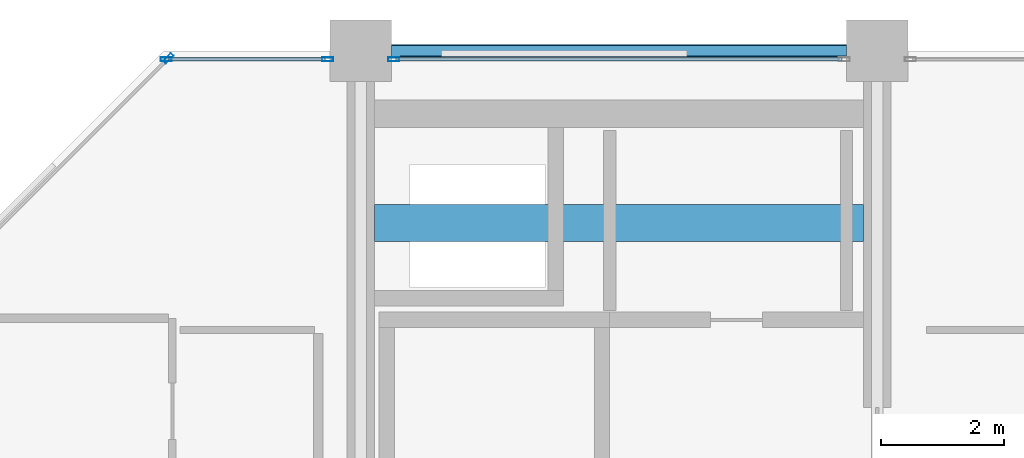
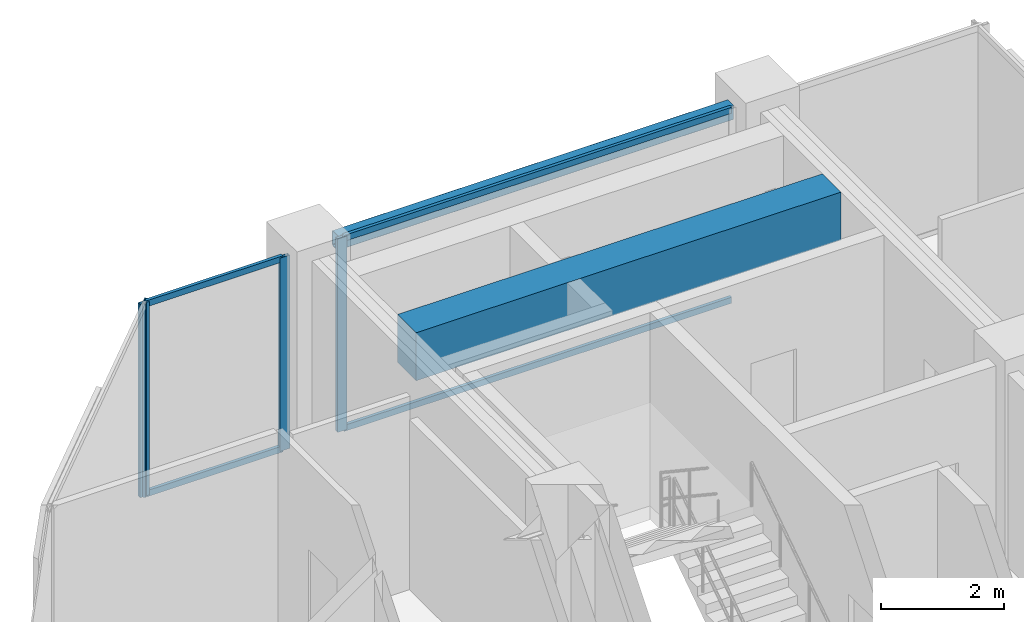
# One storey, part 17 of 25: 8 members, 2 beams, 3 elements without a shape of their own.
"""IFC4 building model written with IfcOpenShell, lengths in metres."""

from ifc_helpers import new_model, si_unit, direction, frame, origin, origin_2d, place, context, subcontext, project, spatial, rectangle, hollow_rectangle, extrude, material, layer, layer_set, material_profile, profile_set, type_object, element, aggregate, save


model = new_model("IFC4")

# Units and contexts
model_context = context("Model", 3, precision=1e-05, world=origin(), true_north=direction((0.0, 1.0)))
body_context = subcontext(model_context, "Body", "Model", "MODEL_VIEW")
ifc_project = project(units=[si_unit("LENGTHUNIT", "METRE"), si_unit("AREAUNIT", "SQUARE_METRE"), si_unit("VOLUMEUNIT", "CUBIC_METRE"), si_unit("PLANEANGLEUNIT", "RADIAN"), si_unit("MASSUNIT", "GRAM", prefix="KILO")], contexts=[model_context])

# Site, building, storey
site_placement = place(None, origin())
site = spatial("IfcSite", under=ifc_project, at=site_placement, CompositionType="ELEMENT")
building_placement = place(site_placement, origin())
building = spatial("IfcBuilding", under=site, at=building_placement, Name="Nerrivon Quay Data Exchange", CompositionType="ELEMENT")
storey_placement = place(building_placement, frame((0.0, 0.0, 237.0)))
storey = spatial("IfcBuildingStorey", under=building, at=storey_placement, Name="L56", CompositionType="ELEMENT", Elevation=237.0)

# Beams
ifc_material_1 = material(Name="Concrete N50 (50 MPa)", Category="concrete")
ifc_material_profile_1 = material_profile(ifc_material_1, rectangle(XDim=0.60009765625, YDim=0.949951171875, at=origin_2d()), Name="RC-CB-600x950")
ifc_profile_set_1 = profile_set([ifc_material_profile_1], Name="Concrete N50 (50 MPa)")
beam_type_1 = type_object("IfcBeamType", Name="BM-CB2-600x950", PredefinedType="LINTEL", material=ifc_profile_set_1)
beam_1_placement = place(storey_placement, frame((8.625, 39.199951171875, 3.35009765625), z_axis=(1.0, 0.0, 0.0), x_axis=(0.0, 1.0, 0.0)))
element("IfcBeam", 1, at=beam_1_placement, inside=storey, type_object=beam_type_1, Name="L56 West Core Coupling Beam", PredefinedType="LINTEL", context=body_context, shape_type="SweptSolid", body=[
    extrude(rectangle(XDim=0.60009765625, YDim=0.949951171875, at=origin_2d()), origin(), (0.0, 0.0, 1.0), 7.949951171875),
])
ifc_material_2 = material(Name="Steel Grade C350L0 (350 MPa)", Category="steel")
ifc_material_profile_2 = material_profile(ifc_material_2, hollow_rectangle(XDim=0.199951171875, YDim=0.300048828125, WallThickness=0.012451171875, InnerFilletRadius=0.018798828125, OuterFilletRadius=0.03125, at=origin_2d()), Name="300x200x12.5RHS")
ifc_profile_set_2 = profile_set([ifc_material_profile_2], Name="Steel Grade C350L0 (350 MPa)")
beam_type_2 = type_object("IfcBeamType", Name="BM-SP3-300x200RHS", PredefinedType="SPANDREL", material=ifc_profile_set_2)
beam_2_placement = place(storey_placement, frame((8.89990234375, 42.0, 3.675048828125), z_axis=(1.0, 0.0, 0.0), x_axis=(0.0, 1.0, 0.0)))
element("IfcBeam", 2, at=beam_2_placement, inside=storey, type_object=beam_type_2, Name="L56 EW Girder Y=42.0 (8.4..16.8)", PredefinedType="SPANDREL", context=body_context, shape_type="SweptSolid", body=[
    extrude(hollow_rectangle(XDim=0.199951171875, YDim=0.300048828125, WallThickness=0.012451171875, InnerFilletRadius=0.018798828125, OuterFilletRadius=0.03125, at=origin_2d()), origin(), (0.0, 0.0, 1.0), 7.400146484375),
])

# Curtain wall, member
ifc_material_3 = material(Name="Anodised aluminium 6063-T6", Category="aluminium")
ifc_layer = layer(ifc_material_3, 0.195068359375)
ifc_layer_set = layer_set([ifc_layer], Name="Anodised aluminium 6063-T6")
curtain_wall_type = type_object("IfcCurtainWallType", Name="CW-SYS-06", PredefinedType="NOTDEFINED", material=ifc_layer_set)
curtain_wall_1_placement = place(storey_placement, origin())
curtain_wall_1 = element("IfcCurtainWall", 3, at=curtain_wall_1_placement, inside=storey, type_object=curtain_wall_type, Name="L56 Unitised Curtain Wall 16", PredefinedType="NOTDEFINED")
ifc_material_profile_3 = material_profile(ifc_material_3, hollow_rectangle(XDim=0.06494140625, YDim=0.179931640625, WallThickness=0.00341796875, at=origin_2d()), Name="ALU-MULL-180x65")
ifc_profile_set_3 = profile_set([ifc_material_profile_3], Name="Anodised aluminium 6063-T6")
member_type_1 = type_object("IfcMemberType", Name="CWM-180x65", PredefinedType="MULLION", material=ifc_profile_set_3)
member_1_placement = place(storey_placement, frame((5.2724609375, 41.87451171875, 0.0), z_axis=(0.0, 0.0, 1.0), x_axis=(-0.707106781187, 0.707106781187, 0.0)))
member_1 = element("IfcMember", 4, at=member_1_placement, type_object=member_type_1, Name="CW06 mullion 2", PredefinedType="MULLION", context=body_context, shape_type="SweptSolid", body=[
    extrude(hollow_rectangle(XDim=0.06494140625, YDim=0.179931640625, WallThickness=0.00341796875, at=origin_2d()), origin(), (0.0, 0.0, 1.0), 3.824951171875),
])
aggregate(curtain_wall_1, [member_1])

# Curtain wall, members
curtain_wall_2_placement = place(storey_placement, origin())
curtain_wall_2 = element("IfcCurtainWall", 5, at=curtain_wall_2_placement, inside=storey, type_object=curtain_wall_type, Name="L56 Unitised Curtain Wall 17", PredefinedType="NOTDEFINED")
member_2_placement = place(storey_placement, frame((5.237548828125, 41.860107421875, 0.0), z_axis=(0.0, 0.0, 1.0), x_axis=(0.0, 1.0, 0.0)))
member_2 = element("IfcMember", 6, at=member_2_placement, type_object=member_type_1, Name="CW06 mullion 1", PredefinedType="MULLION", context=body_context, shape_type="SweptSolid", body=[
    extrude(hollow_rectangle(XDim=0.06494140625, YDim=0.179931640625, WallThickness=0.00341796875, at=origin_2d()), origin(), (0.0, 0.0, 1.0), 3.824951171875),
])
member_3_placement = place(storey_placement, frame((7.862548828125, 41.860107421875, 0.0), z_axis=(0.0, 0.0, 1.0), x_axis=(0.0, 1.0, 0.0)))
member_3 = element("IfcMember", 7, at=member_3_placement, type_object=member_type_1, Name="CW06 mullion 2", PredefinedType="MULLION", context=body_context, shape_type="SweptSolid", body=[
    extrude(hollow_rectangle(XDim=0.06494140625, YDim=0.179931640625, WallThickness=0.00341796875, at=origin_2d()), origin(), (0.0, 0.0, 1.0), 3.824951171875),
])

# Curtain wall, member
curtain_wall_3_placement = place(storey_placement, origin())
curtain_wall_3 = element("IfcCurtainWall", 8, at=curtain_wall_3_placement, inside=storey, type_object=curtain_wall_type, Name="L56 Unitised Curtain Wall 18", PredefinedType="NOTDEFINED")
member_4_placement = place(storey_placement, frame((8.9375, 41.860107421875, 0.0), z_axis=(0.0, 0.0, 1.0), x_axis=(0.0, 1.0, 0.0)))
member_4 = element("IfcMember", 9, at=member_4_placement, type_object=member_type_1, Name="CW06 mullion 1", PredefinedType="MULLION", context=body_context, shape_type="SweptSolid", body=[
    extrude(hollow_rectangle(XDim=0.06494140625, YDim=0.179931640625, WallThickness=0.00341796875, at=origin_2d()), origin(), (0.0, 0.0, 1.0), 3.824951171875),
])

# Member
ifc_material_profile_4 = material_profile(ifc_material_3, hollow_rectangle(XDim=0.06005859375, YDim=0.1201171875, WallThickness=0.003173828125, at=origin_2d()), Name="ALU-TRAN-120x60")
ifc_profile_set_4 = profile_set([ifc_material_profile_4], Name="Anodised aluminium 6063-T6")
member_type_2 = type_object("IfcMemberType", Name="CWT-120x60", PredefinedType="USERDEFINED", material=ifc_profile_set_4)
member_5_placement = place(storey_placement, frame((5.27490234375, 41.860107421875, 0.032470703125), z_axis=(1.0, 0.0, 0.0), x_axis=(0.0, 1.0, 0.0)))
member_5 = element("IfcMember", 10, at=member_5_placement, type_object=member_type_2, Name="CW06 transom 1.1", ObjectType="TRANSOM", PredefinedType="USERDEFINED", context=body_context, shape_type="SweptSolid", body=[
    extrude(hollow_rectangle(XDim=0.06005859375, YDim=0.1201171875, WallThickness=0.003173828125, at=origin_2d()), origin(), (0.0, 0.0, 1.0), 2.550048828125),
])

member_6_placement = place(storey_placement, frame((5.27490234375, 41.860107421875, 3.79248046875), z_axis=(1.0, 0.0, 0.0), x_axis=(0.0, 1.0, 0.0)))
member_6 = element("IfcMember", 11, at=member_6_placement, type_object=member_type_2, Name="CW06 transom 1.2", ObjectType="TRANSOM", PredefinedType="USERDEFINED", context=body_context, shape_type="SweptSolid", body=[
    extrude(hollow_rectangle(XDim=0.06005859375, YDim=0.1201171875, WallThickness=0.003173828125, at=origin_2d()), origin(), (0.0, 0.0, 1.0), 2.550048828125),
])

aggregate(curtain_wall_2, [member_2, member_3, member_5, member_6])

member_7_placement = place(storey_placement, frame((8.97509765625, 41.860107421875, 0.032470703125), z_axis=(1.0, 0.0, 0.0), x_axis=(0.0, 1.0, 0.0)))
member_7 = element("IfcMember", 12, at=member_7_placement, type_object=member_type_2, Name="CW06 transom 1.1", ObjectType="TRANSOM", PredefinedType="USERDEFINED", context=body_context, shape_type="SweptSolid", body=[
    extrude(hollow_rectangle(XDim=0.06005859375, YDim=0.1201171875, WallThickness=0.003173828125, at=origin_2d()), origin(), (0.0, 0.0, 1.0), 7.25),
])

member_8_placement = place(storey_placement, frame((8.97509765625, 41.860107421875, 3.79248046875), z_axis=(1.0, 0.0, 0.0), x_axis=(0.0, 1.0, 0.0)))
member_8 = element("IfcMember", 13, at=member_8_placement, type_object=member_type_2, Name="CW06 transom 1.2", ObjectType="TRANSOM", PredefinedType="USERDEFINED", context=body_context, shape_type="SweptSolid", body=[
    extrude(hollow_rectangle(XDim=0.06005859375, YDim=0.1201171875, WallThickness=0.003173828125, at=origin_2d()), origin(), (0.0, 0.0, 1.0), 7.25),
])

aggregate(curtain_wall_3, [member_4, member_7, member_8])

save(model, "model.ifc")
